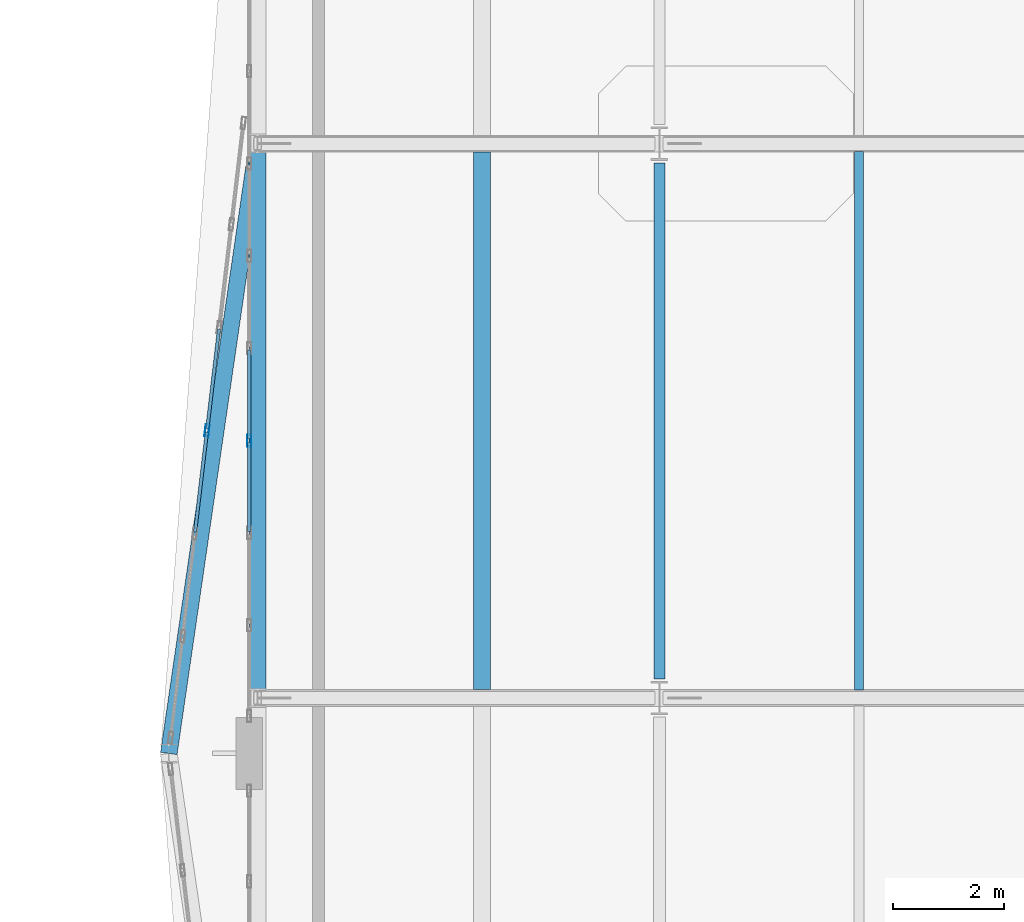
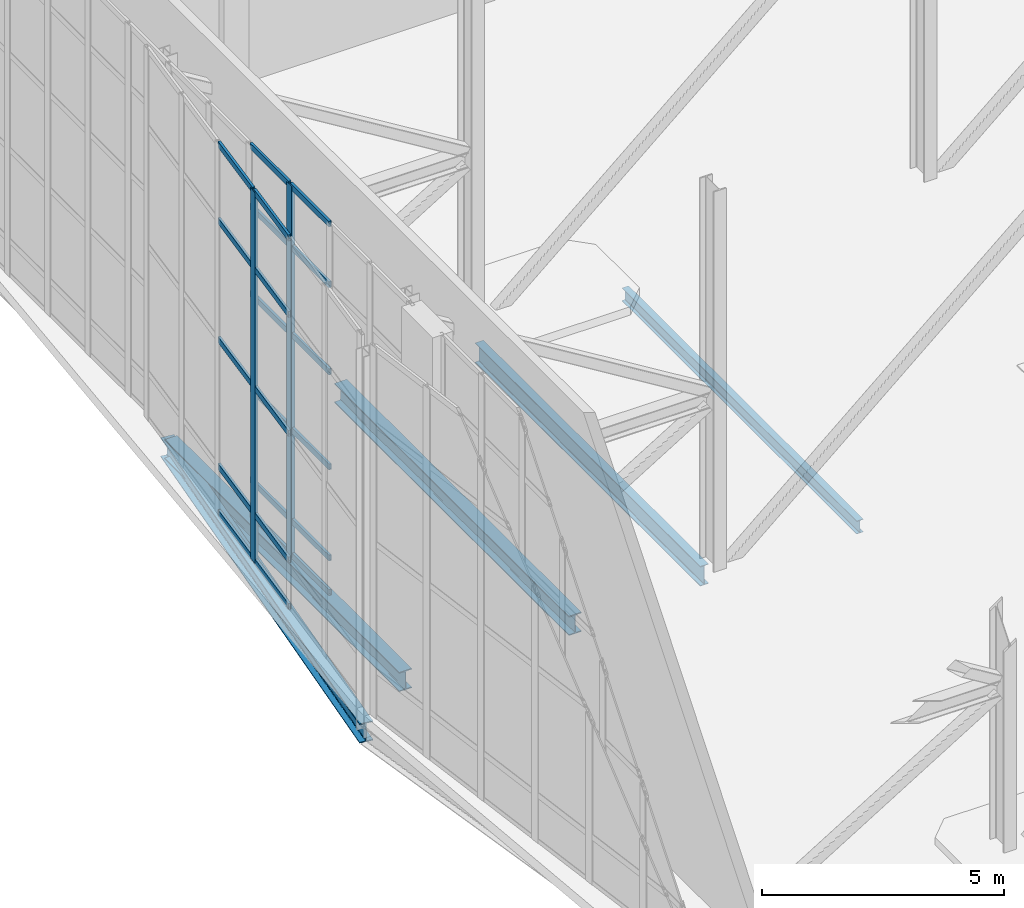
# One storey, part 23 of 100: 24 members, 5 beams, 2 elements without a shape of their own.
"""IFC4 building model written with IfcOpenShell, lengths in metres."""

from ifc_helpers import new_model, si_unit, direction, frame, origin, origin_2d, place, context, subcontext, project, spatial, hollow_rectangle, i_section, extrude, material, layer, layer_set, material_profile, profile_set, type_object, element, aggregate, save


model = new_model("IFC4")

# Units and contexts
model_context = context("Model", 3, precision=1e-05, world=origin(), true_north=direction((0.0, 1.0)))
body_context = subcontext(model_context, "Body", "Model", "MODEL_VIEW")
ifc_project = project(units=[si_unit("LENGTHUNIT", "METRE"), si_unit("AREAUNIT", "SQUARE_METRE"), si_unit("VOLUMEUNIT", "CUBIC_METRE"), si_unit("PLANEANGLEUNIT", "RADIAN"), si_unit("MASSUNIT", "GRAM", prefix="KILO")], contexts=[model_context])

# Site, building, storey
site_placement = place(None, origin())
site = spatial("IfcSite", under=ifc_project, at=site_placement, CompositionType="ELEMENT")
building_placement = place(site_placement, origin())
building = spatial("IfcBuilding", under=site, at=building_placement, Name="Tasgan Crest Museum", CompositionType="ELEMENT")
storey_placement = place(building_placement, frame((0.0, 0.0, 14.39990234375)))
storey = spatial("IfcBuildingStorey", under=building, at=storey_placement, Name="L03", CompositionType="ELEMENT", Elevation=14.39990234375)

# Beams
ifc_material_1 = material(Name="Steel S355J2", Category="steel")
ifc_material_profile_1 = material_profile(ifc_material_1, i_section(OverallWidth=0.300048828125, OverallDepth=0.489990234375, WebThickness=0.011962890625, FlangeThickness=0.02294921875, FilletRadius=0.027099609375, at=origin_2d()), Name="HEA 500")
ifc_profile_set_1 = profile_set([ifc_material_profile_1], Name="Steel S355J2")
beam_type_1 = type_object("IfcBeamType", Name="BM-G-HEA500", PredefinedType="BEAM", material=ifc_profile_set_1)
for number, where, z_axis, x_axis, name in (
    (1, (3.550048828125, 62.14990234375, -0.5048828125), (0.0, 1.0, 0.0), (-1.0, 0.0, 0.0), "Cantilever edge beam L03 TIP 62-72"),
    (2, (7.60009765625, 62.14990234375, -0.5048828125), (0.0, 1.0, 0.0), (-1.0, 0.0, 0.0), "Cantilever edge beam L03 MID 62-72"),
):
    element("IfcBeam", number, at=place(storey_placement, frame(where, z_axis=z_axis, x_axis=x_axis)), inside=storey, type_object=beam_type_1, Name=name, PredefinedType="BEAM", context=body_context, shape_type="SweptSolid", body=[
        extrude(i_section(OverallWidth=0.300048828125, OverallDepth=0.489990234375, WebThickness=0.011962890625, FlangeThickness=0.02294921875, FilletRadius=0.027099609375, at=origin_2d()), origin(), (0.0, 0.0, 1.0), 9.7001953125),
    ])
beam_1_placement = place(storey_placement, frame((1.949951171875, 61.0, -0.559814453125), z_axis=(0.143948449067, 0.98958518785, 0.0), x_axis=(-0.98958518785, 0.143948449067, 0.0)))
element("IfcBeam", 3, at=beam_1_placement, inside=storey, type_object=beam_type_1, Name="Cantilever prow north girder L03", PredefinedType="BEAM", context=body_context, shape_type="SweptSolid", body=[
    extrude(i_section(OverallWidth=0.300048828125, OverallDepth=0.489990234375, WebThickness=0.011962890625, FlangeThickness=0.02294921875, FilletRadius=0.027099609375, at=origin_2d()), origin(), (0.0, 0.0, 1.0), 11.11572265625),
])
ifc_material_2 = material(Name="Steel S355J2", Category="steel")
ifc_material_profile_2 = material_profile(ifc_material_2, i_section(OverallWidth=0.199951171875, OverallDepth=0.5, WebThickness=0.01025390625, FlangeThickness=0.01611328125, FilletRadius=0.02099609375, at=origin_2d()), Name="IPE 500")
ifc_profile_set_2 = profile_set([ifc_material_profile_2], Name="Steel S355J2")
beam_type_2 = type_object("IfcBeamType", Name="BM-G-IPE500", PredefinedType="BEAM", material=ifc_profile_set_2)
beam_2_placement = place(storey_placement, frame((10.800048828125, 62.344970703125, -0.510009765625), z_axis=(0.0, 1.0, 0.0), x_axis=(-1.0, 0.0, 0.0)))
element("IfcBeam", 4, at=beam_2_placement, inside=storey, type_object=beam_type_2, Name="Beam L03 2 62.0-72.0", PredefinedType="BEAM", context=body_context, shape_type="SweptSolid", body=[
    extrude(i_section(OverallWidth=0.199951171875, OverallDepth=0.5, WebThickness=0.01025390625, FlangeThickness=0.01611328125, FilletRadius=0.02099609375, at=origin_2d()), origin(), (0.0, 0.0, 1.0), 9.31005859375),
])
ifc_material_3 = material(Name="Steel S355J2", Category="steel")
ifc_material_profile_3 = material_profile(ifc_material_3, i_section(OverallWidth=0.159912109375, OverallDepth=0.330078125, WebThickness=0.007568359375, FlangeThickness=0.011474609375, FilletRadius=0.01806640625, at=origin_2d()), Name="IPE 330")
ifc_profile_set_3 = profile_set([ifc_material_profile_3], Name="Steel S355J2")
beam_type_3 = type_object("IfcBeamType", Name="BM-J-IPE330", PredefinedType="JOIST", material=ifc_profile_set_3)
beam_3_placement = place(storey_placement, frame((14.39990234375, 62.14501953125, -0.4248046875), z_axis=(0.0, 1.0, 0.0), x_axis=(-1.0, 0.0, 0.0)))
element("IfcBeam", 5, at=beam_3_placement, inside=storey, type_object=beam_type_3, Name="Secondary joist L03 X=14.4 Y=62.0-72.0", PredefinedType="JOIST", context=body_context, shape_type="SweptSolid", body=[
    extrude(i_section(OverallWidth=0.159912109375, OverallDepth=0.330078125, WebThickness=0.007568359375, FlangeThickness=0.011474609375, FilletRadius=0.01806640625, at=origin_2d()), origin(), (0.0, 0.0, 1.0), 9.7099609375),
])

# Curtain wall, member
ifc_material_4 = material(Name="Triple-Glazed Aluminium Curtain Wall", Category="aluminium")
ifc_layer = layer(ifc_material_4, 0.179931640625, Name="CW-CANT-TIP-96")
ifc_layer_set = layer_set([ifc_layer], Name="Triple-Glazed Aluminium Curtain Wall")
curtain_wall_type = type_object("IfcCurtainWallType", Name="CW-CANT-TIP-96", PredefinedType="NOTDEFINED", material=ifc_layer_set)
curtain_wall_1_placement = place(storey_placement, origin())
curtain_wall_1 = element("IfcCurtainWall", 6, at=curtain_wall_1_placement, inside=storey, type_object=curtain_wall_type, Name="Curtain wall L03 138", PredefinedType="NOTDEFINED")
ifc_material_5 = material(Name="Anodised Aluminium", Category="aluminium")
ifc_material_profile_4 = material_profile(ifc_material_5, hollow_rectangle(XDim=0.074951171875, YDim=0.219970703125, WallThickness=0.006103515625, at=origin_2d()), Name="ALU MULLION 220x75x6")
ifc_profile_set_4 = profile_set([ifc_material_profile_4], Name="Anodised Aluminium")
member_type_1 = type_object("IfcMemberType", Name="CW-MULLION-220", PredefinedType="MULLION", material=ifc_profile_set_4)
member_1_placement = place(storey_placement, frame((3.39990234375, 66.642578125, 0.0), z_axis=(0.0, 0.0, 1.0), x_axis=(1.0, 0.0, 0.0)))
member_1 = element("IfcMember", 7, at=member_1_placement, type_object=member_type_1, Name="CW10 mullion 10", PredefinedType="MULLION", context=body_context, shape_type="SweptSolid", body=[
    extrude(hollow_rectangle(XDim=0.074951171875, YDim=0.219970703125, WallThickness=0.006103515625, at=origin_2d()), origin(), (0.0, 0.0, 1.0), 9.360107421875),
])

curtain_wall_2_placement = place(storey_placement, origin())
curtain_wall_2 = element("IfcCurtainWall", 8, at=curtain_wall_2_placement, inside=storey, type_object=curtain_wall_type, Name="Cantilevered prow curtain wall L03 PROW-N", PredefinedType="NOTDEFINED")
member_2_placement = place(storey_placement, frame((2.639892578125, 66.824951171875, 0.0), z_axis=(0.0, 0.0, 1.0), x_axis=(-0.993065228329, 0.117564672774, 0.0)))
member_2 = element("IfcMember", 9, at=member_2_placement, type_object=member_type_1, Name="CW10 mullion 4", PredefinedType="MULLION", context=body_context, shape_type="SweptSolid", body=[
    extrude(hollow_rectangle(XDim=0.074951171875, YDim=0.219970703125, WallThickness=0.006103515625, at=origin_2d()), origin(), (0.0, 0.0, 1.0), 9.360107421875),
])

# Member
ifc_material_6 = material(Name="Anodised Aluminium", Category="aluminium")
ifc_material_profile_5 = material_profile(ifc_material_6, hollow_rectangle(XDim=0.06005859375, YDim=0.14990234375, WallThickness=0.0048828125, at=origin_2d()), Name="ALU TRANSOM 150x60x5")
ifc_profile_set_5 = profile_set([ifc_material_profile_5], Name="Anodised Aluminium")
member_type_2 = type_object("IfcMemberType", Name="CW-TRANSOM-150", PredefinedType="USERDEFINED", material=ifc_profile_set_5)
member_3_placement = place(storey_placement, frame((3.39990234375, 68.2783203125, 0.030029296875), z_axis=(0.0, -1.0, 0.0), x_axis=(1.0, 0.0, 0.0)))
member_3 = element("IfcMember", 10, at=member_3_placement, type_object=member_type_2, Name="CW10 transom 9.1", ObjectType="TRANSOM", PredefinedType="USERDEFINED", context=body_context, shape_type="SweptSolid", body=[
    extrude(hollow_rectangle(XDim=0.06005859375, YDim=0.14990234375, WallThickness=0.0048828125, at=origin_2d()), origin(), (0.0, 0.0, 1.0), 1.605712890625),
])

member_4_placement = place(storey_placement, frame((3.39990234375, 68.2783203125, 0.900146484375), z_axis=(0.0, -1.0, 0.0), x_axis=(1.0, 0.0, 0.0)))
member_4 = element("IfcMember", 11, at=member_4_placement, type_object=member_type_2, Name="CW10 transom 9.2", ObjectType="TRANSOM", PredefinedType="USERDEFINED", context=body_context, shape_type="SweptSolid", body=[
    extrude(hollow_rectangle(XDim=0.06005859375, YDim=0.14990234375, WallThickness=0.0048828125, at=origin_2d()), origin(), (0.0, 0.0, 1.0), 1.605712890625),
])

member_5_placement = place(storey_placement, frame((3.39990234375, 68.2783203125, 3.2001953125), z_axis=(0.0, -1.0, 0.0), x_axis=(1.0, 0.0, 0.0)))
member_5 = element("IfcMember", 12, at=member_5_placement, type_object=member_type_2, Name="CW10 transom 9.3", ObjectType="TRANSOM", PredefinedType="USERDEFINED", context=body_context, shape_type="SweptSolid", body=[
    extrude(hollow_rectangle(XDim=0.06005859375, YDim=0.14990234375, WallThickness=0.0048828125, at=origin_2d()), origin(), (0.0, 0.0, 1.0), 1.605712890625),
])

member_6_placement = place(storey_placement, frame((3.39990234375, 68.2783203125, 5.60009765625), z_axis=(0.0, -1.0, 0.0), x_axis=(1.0, 0.0, 0.0)))
member_6 = element("IfcMember", 13, at=member_6_placement, type_object=member_type_2, Name="CW10 transom 9.4", ObjectType="TRANSOM", PredefinedType="USERDEFINED", context=body_context, shape_type="SweptSolid", body=[
    extrude(hollow_rectangle(XDim=0.06005859375, YDim=0.14990234375, WallThickness=0.0048828125, at=origin_2d()), origin(), (0.0, 0.0, 1.0), 1.605712890625),
])

member_7_placement = place(storey_placement, frame((3.39990234375, 68.2783203125, 7.800048828125), z_axis=(0.0, -1.0, 0.0), x_axis=(1.0, 0.0, 0.0)))
member_7 = element("IfcMember", 14, at=member_7_placement, type_object=member_type_2, Name="CW10 transom 9.5", ObjectType="TRANSOM", PredefinedType="USERDEFINED", context=body_context, shape_type="SweptSolid", body=[
    extrude(hollow_rectangle(XDim=0.06005859375, YDim=0.14990234375, WallThickness=0.0048828125, at=origin_2d()), origin(), (0.0, 0.0, 1.0), 1.605712890625),
])

member_8_placement = place(storey_placement, frame((3.39990234375, 68.2783203125, 9.330078125), z_axis=(0.0, -1.0, 0.0), x_axis=(1.0, 0.0, 0.0)))
member_8 = element("IfcMember", 15, at=member_8_placement, type_object=member_type_2, Name="CW10 transom 9.6", ObjectType="TRANSOM", PredefinedType="USERDEFINED", context=body_context, shape_type="SweptSolid", body=[
    extrude(hollow_rectangle(XDim=0.06005859375, YDim=0.14990234375, WallThickness=0.0048828125, at=origin_2d()), origin(), (0.0, 0.0, 1.0), 1.605712890625),
])

member_9_placement = place(storey_placement, frame((3.39990234375, 66.612548828125, 0.030029296875), z_axis=(0.0, -1.0, 0.0), x_axis=(1.0, 0.0, 0.0)))
member_9 = element("IfcMember", 16, at=member_9_placement, type_object=member_type_2, Name="CW10 transom 10.1", ObjectType="TRANSOM", PredefinedType="USERDEFINED", context=body_context, shape_type="SweptSolid", body=[
    extrude(hollow_rectangle(XDim=0.06005859375, YDim=0.14990234375, WallThickness=0.0048828125, at=origin_2d()), origin(), (0.0, 0.0, 1.0), 1.60595703125),
])

member_10_placement = place(storey_placement, frame((3.39990234375, 66.612548828125, 0.900146484375), z_axis=(0.0, -1.0, 0.0), x_axis=(1.0, 0.0, 0.0)))
member_10 = element("IfcMember", 17, at=member_10_placement, type_object=member_type_2, Name="CW10 transom 10.2", ObjectType="TRANSOM", PredefinedType="USERDEFINED", context=body_context, shape_type="SweptSolid", body=[
    extrude(hollow_rectangle(XDim=0.06005859375, YDim=0.14990234375, WallThickness=0.0048828125, at=origin_2d()), origin(), (0.0, 0.0, 1.0), 1.60595703125),
])

member_11_placement = place(storey_placement, frame((3.39990234375, 66.612548828125, 3.2001953125), z_axis=(0.0, -1.0, 0.0), x_axis=(1.0, 0.0, 0.0)))
member_11 = element("IfcMember", 18, at=member_11_placement, type_object=member_type_2, Name="CW10 transom 10.3", ObjectType="TRANSOM", PredefinedType="USERDEFINED", context=body_context, shape_type="SweptSolid", body=[
    extrude(hollow_rectangle(XDim=0.06005859375, YDim=0.14990234375, WallThickness=0.0048828125, at=origin_2d()), origin(), (0.0, 0.0, 1.0), 1.60595703125),
])

member_12_placement = place(storey_placement, frame((3.39990234375, 66.612548828125, 5.60009765625), z_axis=(0.0, -1.0, 0.0), x_axis=(1.0, 0.0, 0.0)))
member_12 = element("IfcMember", 19, at=member_12_placement, type_object=member_type_2, Name="CW10 transom 10.4", ObjectType="TRANSOM", PredefinedType="USERDEFINED", context=body_context, shape_type="SweptSolid", body=[
    extrude(hollow_rectangle(XDim=0.06005859375, YDim=0.14990234375, WallThickness=0.0048828125, at=origin_2d()), origin(), (0.0, 0.0, 1.0), 1.60595703125),
])

member_13_placement = place(storey_placement, frame((3.39990234375, 66.612548828125, 7.800048828125), z_axis=(0.0, -1.0, 0.0), x_axis=(1.0, 0.0, 0.0)))
member_13 = element("IfcMember", 20, at=member_13_placement, type_object=member_type_2, Name="CW10 transom 10.5", ObjectType="TRANSOM", PredefinedType="USERDEFINED", context=body_context, shape_type="SweptSolid", body=[
    extrude(hollow_rectangle(XDim=0.06005859375, YDim=0.14990234375, WallThickness=0.0048828125, at=origin_2d()), origin(), (0.0, 0.0, 1.0), 1.60595703125),
])

member_14_placement = place(storey_placement, frame((3.39990234375, 66.612548828125, 9.330078125), z_axis=(0.0, -1.0, 0.0), x_axis=(1.0, 0.0, 0.0)))
member_14 = element("IfcMember", 21, at=member_14_placement, type_object=member_type_2, Name="CW10 transom 10.6", ObjectType="TRANSOM", PredefinedType="USERDEFINED", context=body_context, shape_type="SweptSolid", body=[
    extrude(hollow_rectangle(XDim=0.06005859375, YDim=0.14990234375, WallThickness=0.0048828125, at=origin_2d()), origin(), (0.0, 0.0, 1.0), 1.60595703125),
])

aggregate(curtain_wall_1, [member_1, member_3, member_4, member_5, member_6, member_7, member_8, member_9, member_10, member_11, member_12, member_13, member_14])

member_15_placement = place(storey_placement, frame((2.423583984375, 64.996337890625, 0.030029296875), z_axis=(0.117529386701, 0.993069405058, 0.0), x_axis=(-0.993069405058, 0.117529386701, 0.0)))
member_15 = element("IfcMember", 22, at=member_15_placement, type_object=member_type_2, Name="CW10 transom 3.1", ObjectType="TRANSOM", PredefinedType="USERDEFINED", context=body_context, shape_type="SweptSolid", body=[
    extrude(hollow_rectangle(XDim=0.06005859375, YDim=0.14990234375, WallThickness=0.0048828125, at=origin_2d()), origin(), (0.0, 0.0, 1.0), 1.811279296875),
])

member_16_placement = place(storey_placement, frame((2.423583984375, 64.996337890625, 1.2001953125), z_axis=(0.117529386701, 0.993069405058, 0.0), x_axis=(-0.993069405058, 0.117529386701, 0.0)))
member_16 = element("IfcMember", 23, at=member_16_placement, type_object=member_type_2, Name="CW10 transom 3.2", ObjectType="TRANSOM", PredefinedType="USERDEFINED", context=body_context, shape_type="SweptSolid", body=[
    extrude(hollow_rectangle(XDim=0.06005859375, YDim=0.14990234375, WallThickness=0.0048828125, at=origin_2d()), origin(), (0.0, 0.0, 1.0), 1.811279296875),
])

member_17_placement = place(storey_placement, frame((2.423583984375, 64.996337890625, 4.400146484375), z_axis=(0.117529386701, 0.993069405058, 0.0), x_axis=(-0.993069405058, 0.117529386701, 0.0)))
member_17 = element("IfcMember", 24, at=member_17_placement, type_object=member_type_2, Name="CW10 transom 3.3", ObjectType="TRANSOM", PredefinedType="USERDEFINED", context=body_context, shape_type="SweptSolid", body=[
    extrude(hollow_rectangle(XDim=0.06005859375, YDim=0.14990234375, WallThickness=0.0048828125, at=origin_2d()), origin(), (0.0, 0.0, 1.0), 1.811279296875),
])

member_18_placement = place(storey_placement, frame((2.423583984375, 64.996337890625, 7.400146484375), z_axis=(0.117529386701, 0.993069405058, 0.0), x_axis=(-0.993069405058, 0.117529386701, 0.0)))
member_18 = element("IfcMember", 25, at=member_18_placement, type_object=member_type_2, Name="CW10 transom 3.4", ObjectType="TRANSOM", PredefinedType="USERDEFINED", context=body_context, shape_type="SweptSolid", body=[
    extrude(hollow_rectangle(XDim=0.06005859375, YDim=0.14990234375, WallThickness=0.0048828125, at=origin_2d()), origin(), (0.0, 0.0, 1.0), 1.811279296875),
])

member_19_placement = place(storey_placement, frame((2.423583984375, 64.996337890625, 9.330078125), z_axis=(0.117529386701, 0.993069405058, 0.0), x_axis=(-0.993069405058, 0.117529386701, 0.0)))
member_19 = element("IfcMember", 26, at=member_19_placement, type_object=member_type_2, Name="CW10 transom 3.5", ObjectType="TRANSOM", PredefinedType="USERDEFINED", context=body_context, shape_type="SweptSolid", body=[
    extrude(hollow_rectangle(XDim=0.06005859375, YDim=0.14990234375, WallThickness=0.0048828125, at=origin_2d()), origin(), (0.0, 0.0, 1.0), 1.811279296875),
])

member_20_placement = place(storey_placement, frame((2.6435546875, 66.854736328125, 0.030029296875), z_axis=(0.117529386701, 0.993069405058, 0.0), x_axis=(-0.993069405058, 0.117529386701, 0.0)))
member_20 = element("IfcMember", 27, at=member_20_placement, type_object=member_type_2, Name="CW10 transom 4.1", ObjectType="TRANSOM", PredefinedType="USERDEFINED", context=body_context, shape_type="SweptSolid", body=[
    extrude(hollow_rectangle(XDim=0.06005859375, YDim=0.14990234375, WallThickness=0.0048828125, at=origin_2d()), origin(), (0.0, 0.0, 1.0), 1.811279296875),
])

member_21_placement = place(storey_placement, frame((2.6435546875, 66.854736328125, 1.2001953125), z_axis=(0.117529386701, 0.993069405058, 0.0), x_axis=(-0.993069405058, 0.117529386701, 0.0)))
member_21 = element("IfcMember", 28, at=member_21_placement, type_object=member_type_2, Name="CW10 transom 4.2", ObjectType="TRANSOM", PredefinedType="USERDEFINED", context=body_context, shape_type="SweptSolid", body=[
    extrude(hollow_rectangle(XDim=0.06005859375, YDim=0.14990234375, WallThickness=0.0048828125, at=origin_2d()), origin(), (0.0, 0.0, 1.0), 1.811279296875),
])

member_22_placement = place(storey_placement, frame((2.6435546875, 66.854736328125, 4.400146484375), z_axis=(0.117529386701, 0.993069405058, 0.0), x_axis=(-0.993069405058, 0.117529386701, 0.0)))
member_22 = element("IfcMember", 29, at=member_22_placement, type_object=member_type_2, Name="CW10 transom 4.3", ObjectType="TRANSOM", PredefinedType="USERDEFINED", context=body_context, shape_type="SweptSolid", body=[
    extrude(hollow_rectangle(XDim=0.06005859375, YDim=0.14990234375, WallThickness=0.0048828125, at=origin_2d()), origin(), (0.0, 0.0, 1.0), 1.811279296875),
])

member_23_placement = place(storey_placement, frame((2.6435546875, 66.854736328125, 7.400146484375), z_axis=(0.117529386701, 0.993069405058, 0.0), x_axis=(-0.993069405058, 0.117529386701, 0.0)))
member_23 = element("IfcMember", 30, at=member_23_placement, type_object=member_type_2, Name="CW10 transom 4.4", ObjectType="TRANSOM", PredefinedType="USERDEFINED", context=body_context, shape_type="SweptSolid", body=[
    extrude(hollow_rectangle(XDim=0.06005859375, YDim=0.14990234375, WallThickness=0.0048828125, at=origin_2d()), origin(), (0.0, 0.0, 1.0), 1.811279296875),
])

member_24_placement = place(storey_placement, frame((2.6435546875, 66.854736328125, 9.330078125), z_axis=(0.117529386701, 0.993069405058, 0.0), x_axis=(-0.993069405058, 0.117529386701, 0.0)))
member_24 = element("IfcMember", 31, at=member_24_placement, type_object=member_type_2, Name="CW10 transom 4.5", ObjectType="TRANSOM", PredefinedType="USERDEFINED", context=body_context, shape_type="SweptSolid", body=[
    extrude(hollow_rectangle(XDim=0.06005859375, YDim=0.14990234375, WallThickness=0.0048828125, at=origin_2d()), origin(), (0.0, 0.0, 1.0), 1.811279296875),
])

aggregate(curtain_wall_2, [member_2, member_15, member_16, member_17, member_18, member_19, member_20, member_21, member_22, member_23, member_24])

save(model, "model.ifc")
